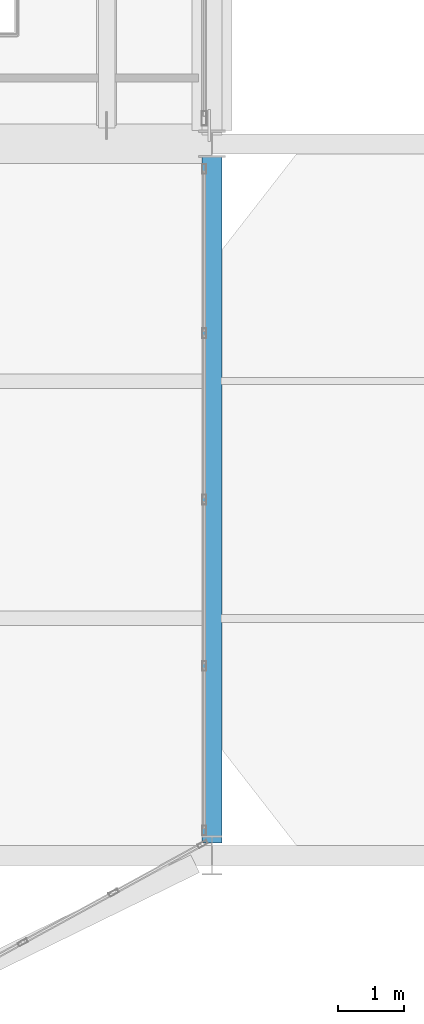
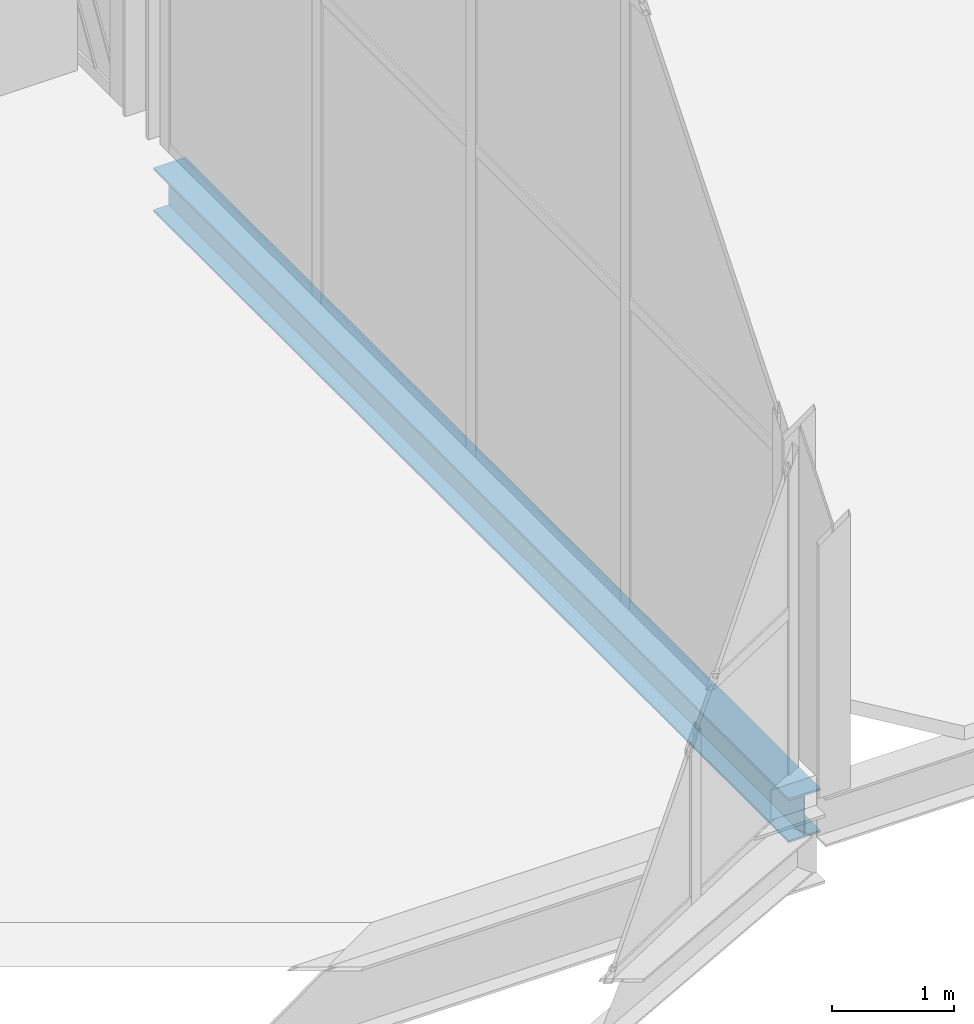
# One storey, part 53 of 191: 1 beam.
"""IFC4 building model written with IfcOpenShell, lengths in metres."""

import ifcopenshell
import ifcopenshell.guid

model = None  # the IFC model being written
_history = None  # IfcOwnerHistory: only IFC2X3 demands one
_inside = {}  # id of a spatial element -> (the spatial element, [elements in it])
_under = {}  # id of a project, library or spatial element -> (it, [spatial elements below it])
_declared = {}  # id of a project -> (the project, [libraries it declares])
_typed = {}  # id of a type object -> (the type object, [elements of that type])
_made_of = {}  # id of a material, layer set ... -> (it, [elements and type objects made of it])


def new_model(schema):
    """Start an empty IFC model of exactly this schema.

    Asked for "IFC4X3", IfcOpenShell would pick the latest addendum, in which some entities
    have other attributes; the version numbers below select the first issue.
    IFC2X3 requires an IfcOwnerHistory on every rooted entity: one is made here for all.
    """
    global model, _history
    if schema == "IFC4X3":
        model = ifcopenshell.file(schema_version=(4, 3, 0, 0))
    else:
        model = ifcopenshell.file(schema=schema)
    _inside.clear()
    _under.clear()
    _declared.clear()
    _typed.clear()
    _made_of.clear()
    _history = None
    if model.schema == "IFC2X3":
        org = make("IfcOrganization", Name="unknown")
        user = make(
            "IfcPersonAndOrganization",
            ThePerson=make("IfcPerson", FamilyName="unknown"),
            TheOrganization=org,
        )
        app = make(
            "IfcApplication",
            ApplicationDeveloper=org,
            Version="unknown",
            ApplicationFullName="unknown",
            ApplicationIdentifier="unknown",
        )
        _history = make(
            "IfcOwnerHistory",
            OwningUser=user,
            OwningApplication=app,
            ChangeAction="ADDED",
            CreationDate=0,
        )
    return model


def make(cls, **values):
    """One entity of the class cls with the attributes given. An attribute that is None is left unset."""
    return model.create_entity(
        cls, **{name: value for name, value in values.items() if value is not None}
    )


def rooted(cls, **values):
    """An entity with a GlobalId (a new one), such as an element, a storey or a relation."""
    return make(cls, GlobalId=ifcopenshell.guid.new(), OwnerHistory=_history, **values)


def si_unit(unit_type, name, prefix=None):
    """IfcSIUnit, for example si_unit("LENGTHUNIT", "METRE", prefix="MILLI")."""
    return make("IfcSIUnit", UnitType=unit_type, Prefix=prefix, Name=name)


def assignment(units):
    """IfcUnitAssignment: the units of a project."""
    return None if units is None else make("IfcUnitAssignment", Units=units)


def point(xyz):
    """IfcCartesianPoint."""
    return None if xyz is None else make("IfcCartesianPoint", Coordinates=xyz)


def direction(xyz):
    """IfcDirection."""
    return None if xyz is None else make("IfcDirection", DirectionRatios=xyz)


def frame(location, z_axis=None, x_axis=None):
    """IfcAxis2Placement3D, a coordinate frame: its origin and axes. An axis left out is left unset."""
    return make(
        "IfcAxis2Placement3D",
        Location=point(location),
        Axis=direction(z_axis),
        RefDirection=direction(x_axis),
    )


def frame_2d(location, x_axis=None):
    """IfcAxis2Placement2D, a coordinate frame in the plane: its origin and x axis."""
    return make(
        "IfcAxis2Placement2D", Location=point(location), RefDirection=direction(x_axis)
    )


def origin():
    """The frame at (0, 0, 0) with its axes left unset."""
    return frame((0.0, 0.0, 0.0))


def origin_2d():
    """The frame at (0, 0) in the plane with its x axis left unset."""
    return frame_2d((0.0, 0.0))


def place(relative_to, where):
    """IfcLocalPlacement: puts the frame where relative to a parent placement (None: the world)."""
    return make(
        "IfcLocalPlacement", PlacementRelTo=relative_to, RelativePlacement=where
    )


def context(
    kind, dimensions, precision=None, world=None, true_north=None, identifier=None
):
    """IfcGeometricRepresentationContext, for example the 3D "Model" context."""
    return make(
        "IfcGeometricRepresentationContext",
        ContextIdentifier=identifier,
        ContextType=kind,
        CoordinateSpaceDimension=dimensions,
        Precision=precision,
        WorldCoordinateSystem=world,
        TrueNorth=true_north,
    )


def subcontext(parent, identifier, kind, view, scale=None):
    """IfcGeometricRepresentationSubContext, for example "Body" below "Model"."""
    return make(
        "IfcGeometricRepresentationSubContext",
        ContextIdentifier=identifier,
        ContextType=kind,
        ParentContext=parent,
        TargetScale=scale,
        TargetView=view,
    )


def project(units=None, contexts=None):
    """IfcProject with its units and contexts."""
    return rooted(
        "IfcProject",
        Name="project",
        RepresentationContexts=contexts,
        UnitsInContext=assignment(units),
    )


def spatial(cls, under=None, at=None, **own):
    """A site, building, storey or space (cls), placed at a placement, below another one or the project."""
    s = rooted(cls, ObjectPlacement=at, **own)
    if under is not None:
        _under.setdefault(under.id(), (under, []))[1].append(s)
    return s


def profile(cls, at=None, kind="AREA", **sizes):
    """A parametric profile (cls). Its sizes go by their IFC names, for example OverallWidth=200.0."""
    return make(cls, ProfileType=kind, Position=at, **sizes)


def i_section(**sizes):
    """IfcIShapeProfileDef."""
    return profile("IfcIShapeProfileDef", **sizes)


def extrude(swept, where, along, depth):
    """IfcExtrudedAreaSolid: the profile swept, set in the frame where, extruded along a direction by depth."""
    return make(
        "IfcExtrudedAreaSolid",
        SweptArea=swept,
        Position=where,
        ExtrudedDirection=direction(along),
        Depth=depth,
    )


def shape(context_of_items, identifier, shape_type, items):
    """IfcShapeRepresentation: the items that make up one representation, for example the "Body"."""
    return make(
        "IfcShapeRepresentation",
        ContextOfItems=context_of_items,
        RepresentationIdentifier=identifier,
        RepresentationType=shape_type,
        Items=items,
    )


def material(Name=None, Category=None):
    """IfcMaterial."""
    return make("IfcMaterial", Name=Name, Category=Category)


def material_profile(
    of_material, cross_section, Name=None, Category=None, Priority=None
):
    """IfcMaterialProfile: a cross section and its material."""
    return make(
        "IfcMaterialProfile",
        Name=Name,
        Material=of_material,
        Profile=cross_section,
        Priority=Priority,
        Category=Category,
    )


def profile_set(profiles, Name=None, composite=None):
    """IfcMaterialProfileSet."""
    return make(
        "IfcMaterialProfileSet",
        Name=Name,
        MaterialProfiles=profiles,
        CompositeProfile=composite,
    )


def made_of(thing, what):
    """Note that an element or type object is made of a material, layer set ...; save() writes the relation."""
    if what is not None:
        _made_of.setdefault(what.id(), (what, []))[1].append(thing)
    return thing


def type_object(cls, material=None, **own):
    """A type object (cls), such as IfcWallType, which elements share."""
    return made_of(rooted(cls, **own), material)


def element(
    cls,
    number,
    at=None,
    inside=None,
    cuts=None,
    type_object=None,
    material=None,
    context=None,
    identifier="Body",
    shape_type=None,
    held_by="IfcProductDefinitionShape",
    body=None,
    shapes=None,
    **own,
):
    """One element of the class cls, such as IfcWall. Its Tag is "e" and its number.

    at: its placement. inside: the storey or other place that contains it. cuts: it is an
    opening in that element (IfcRelVoidsElement). A single representation is given by context,
    identifier, shape_type and body (its items); several are given by shapes. held_by: the class
    of the entity that holds the representations. save() writes the other relations.
    """
    e = rooted(cls, Tag="e%d" % number, ObjectPlacement=at, **own)
    if body is not None:
        shapes = [shape(context, identifier, shape_type, body)]
    if shapes is not None:
        e.Representation = make(held_by, Representations=shapes)
    if inside is not None:
        _inside.setdefault(inside.id(), (inside, []))[1].append(e)
    if cuts is not None:
        rooted(
            "IfcRelVoidsElement", RelatingBuildingElement=cuts, RelatedOpeningElement=e
        )
    if type_object is not None:
        _typed.setdefault(type_object.id(), (type_object, []))[1].append(e)
    return made_of(e, material)


def aggregate(whole, parts):
    """IfcRelAggregates: a whole, such as a stair, and the parts it consists of."""
    return rooted("IfcRelAggregates", RelatingObject=whole, RelatedObjects=parts)


def save(model, path):
    """Write the relations noted so far, then the file.

    IfcRelAggregates (storeys below a building ...), IfcRelContainedInSpatialStructure (elements
    in a storey), IfcRelDefinesByType, IfcRelAssociatesMaterial and IfcRelDeclares: one each for
    every whole, place, type object, material and project.
    """
    for whole, parts in _under.values():
        aggregate(whole, parts)
    for where, things in _inside.values():
        rooted(
            "IfcRelContainedInSpatialStructure",
            RelatedElements=things,
            RelatingStructure=where,
        )
    for kind, things in _typed.values():
        rooted("IfcRelDefinesByType", RelatedObjects=things, RelatingType=kind)
    for what, things in _made_of.values():
        rooted("IfcRelAssociatesMaterial", RelatedObjects=things, RelatingMaterial=what)
    for by, libraries in _declared.values():
        rooted("IfcRelDeclares", RelatingContext=by, RelatedDefinitions=libraries)
    model.write(path)


model = new_model("IFC4")

# Units and contexts
model_context = context("Model", 3, precision=1e-05, world=origin(), true_north=direction((0.0, 1.0)))
body_context = subcontext(model_context, "Body", "Model", "MODEL_VIEW")
ifc_project = project(units=[si_unit("LENGTHUNIT", "METRE"), si_unit("AREAUNIT", "SQUARE_METRE"), si_unit("VOLUMEUNIT", "CUBIC_METRE"), si_unit("PLANEANGLEUNIT", "RADIAN"), si_unit("MASSUNIT", "GRAM", prefix="KILO")], contexts=[model_context])

# Site, building, storey
site_placement = place(None, origin())
site = spatial("IfcSite", under=ifc_project, at=site_placement, CompositionType="ELEMENT")
building_placement = place(site_placement, origin())
building = spatial("IfcBuilding", under=site, at=building_placement, Name="Tamarisk Ironworks Central Station", CompositionType="ELEMENT")
storey_placement = place(building_placement, frame((0.0, 0.0, 6.60009765625)))
storey = spatial("IfcBuildingStorey", under=building, at=storey_placement, Name="L01", CompositionType="ELEMENT", Elevation=6.60009765625)

# Beam
ifc_material = material(Name="Structural steel S355J2", Category="steel")
ifc_material_profile = material_profile(ifc_material, i_section(OverallWidth=0.300048828125, OverallDepth=0.43994140625, WebThickness=0.011474609375, FlangeThickness=0.02099609375, at=origin_2d()), Name="HEA 450")
ifc_profile_set = profile_set([ifc_material_profile], Name="Structural steel S355J2")
beam_type = type_object("IfcBeamType", Name="BM-G06", PredefinedType="BEAM", material=ifc_profile_set)
beam_placement = place(storey_placement, frame((108.0, 10.991455078125, -0.52001953125), z_axis=(0.0, 1.0, 0.0), x_axis=(-1.0, 0.0, 0.0)))
element("IfcBeam", 1, at=beam_placement, inside=storey, type_object=beam_type, Name="L01 primary girder Y-0231", PredefinedType="BEAM", context=body_context, shape_type="SweptSolid", body=[
    extrude(i_section(OverallWidth=0.300048828125, OverallDepth=0.43994140625, WebThickness=0.011474609375, FlangeThickness=0.02099609375, at=origin_2d()), origin(), (0.0, 0.0, 1.0), 10.407958984375),
])

save(model, "model.ifc")
